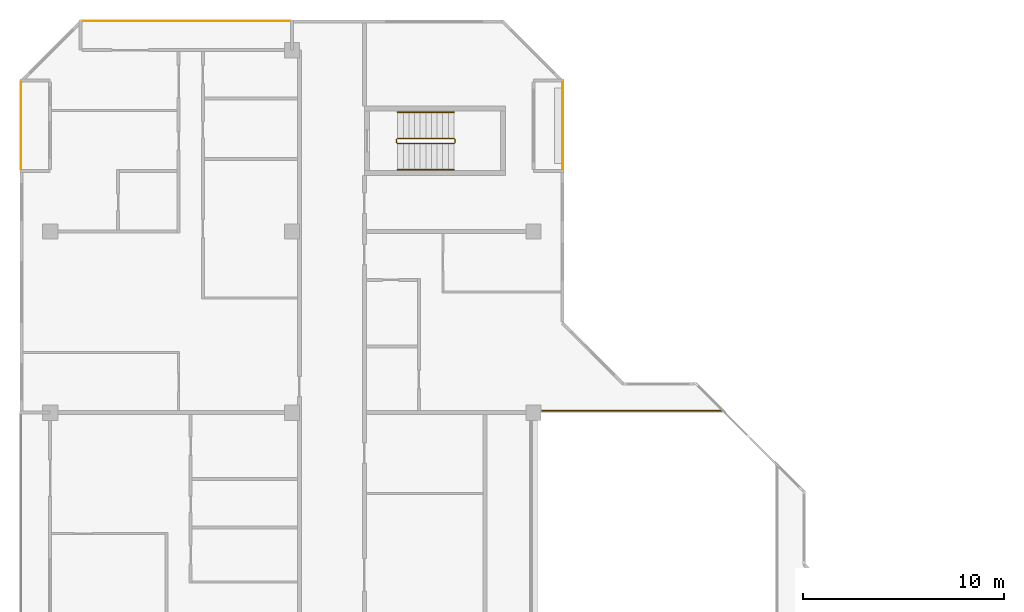
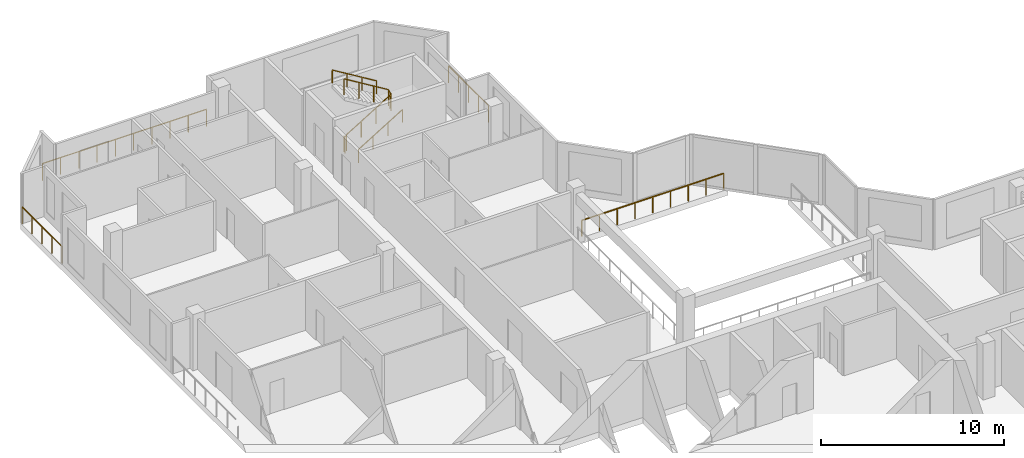
# One storey, part 12 of 12: 7 railings.
"""IFC4 building model written with IfcOpenShell, lengths in metres."""

from ifc_helpers import new_model, si_unit, direction, frame, origin, origin_2d, place, context, subcontext, project, spatial, rectangle, extrude, material, type_object, element, save


model = new_model("IFC4")

# Units and contexts
model_context = context("Model", 3, precision=1e-05, world=origin(), true_north=direction((0.0, 1.0)))
body_context = subcontext(model_context, "Body", "Model", "MODEL_VIEW")
ifc_project = project(units=[si_unit("LENGTHUNIT", "METRE"), si_unit("AREAUNIT", "SQUARE_METRE"), si_unit("VOLUMEUNIT", "CUBIC_METRE"), si_unit("PLANEANGLEUNIT", "RADIAN"), si_unit("MASSUNIT", "GRAM", prefix="KILO")], contexts=[model_context])

# Site, building, storey
site_placement = place(None, origin())
site = spatial("IfcSite", under=ifc_project, at=site_placement, CompositionType="ELEMENT")
building_placement = place(site_placement, origin())
building = spatial("IfcBuilding", under=site, at=building_placement, Name="Chenar Terraces", CompositionType="ELEMENT")
storey_placement = place(building_placement, frame((0.0, 0.0, 372.64990234375)))
storey = spatial("IfcBuildingStorey", under=building, at=storey_placement, Name="L87", CompositionType="ELEMENT", Elevation=372.64990234375)

# Railings
ifc_material_1 = material(Name="Powder-coated steel", Category="steel")
railing_type_1 = type_object("IfcRailingType", Name="Guard 1100 steel rail with glass infill", PredefinedType="GUARDRAIL", material=ifc_material_1)
railing_1_placement = place(storey_placement, frame((24.425048828125, 36.10009765625, 0.0)))
element("IfcRailing", 1, at=railing_1_placement, inside=storey, type_object=railing_type_1, Name="Guard L87-2", PredefinedType="GUARDRAIL", context=body_context, shape_type="SweptSolid", body=[
    extrude(rectangle(XDim=0.06005859375, YDim=0.06005859375, at=origin_2d()), frame((0.0, 0.0, 1.070068359375), z_axis=(1.0, 0.0, 0.0), x_axis=(0.0, 1.0, 0.0)), (0.0, 0.0, 1.0), 8.974853515625),
    extrude(rectangle(XDim=0.050048828125, YDim=0.050048828125, at=origin_2d()), origin(), (0.0, 0.0, 1.0), 1.0400390625),
    extrude(rectangle(XDim=0.050048828125, YDim=0.050048828125, at=origin_2d()), frame((1.121826171875, 0.0, 0.0)), (0.0, 0.0, 1.0), 1.0400390625),
    extrude(rectangle(XDim=0.050048828125, YDim=0.050048828125, at=origin_2d()), frame((2.24365234375, 0.0, 0.0)), (0.0, 0.0, 1.0), 1.0400390625),
    extrude(rectangle(XDim=0.050048828125, YDim=0.050048828125, at=origin_2d()), frame((3.365478515625, 0.0, 0.0)), (0.0, 0.0, 1.0), 1.0400390625),
    extrude(rectangle(XDim=0.050048828125, YDim=0.050048828125, at=origin_2d()), frame((4.4873046875, 0.0, 0.0)), (0.0, 0.0, 1.0), 1.0400390625),
    extrude(rectangle(XDim=0.050048828125, YDim=0.050048828125, at=origin_2d()), frame((5.609375, 0.0, 0.0)), (0.0, 0.0, 1.0), 1.0400390625),
    extrude(rectangle(XDim=0.050048828125, YDim=0.050048828125, at=origin_2d()), frame((6.731201171875, 0.0, 0.0)), (0.0, 0.0, 1.0), 1.0400390625),
    extrude(rectangle(XDim=0.050048828125, YDim=0.050048828125, at=origin_2d()), frame((7.85302734375, 0.0, 0.0)), (0.0, 0.0, 1.0), 1.0400390625),
    extrude(rectangle(XDim=0.050048828125, YDim=0.050048828125, at=origin_2d()), frame((8.974853515625, 0.0, 0.0)), (0.0, 0.0, 1.0), 1.0400390625),
])
ifc_material_2 = material(Name="Stainless steel and glass", Category="steel")
railing_type_2 = type_object("IfcRailingType", Name="Loggia guard 1150", PredefinedType="GUARDRAIL", material=ifc_material_2)
railing_2_placement = place(storey_placement, frame((25.449951171875, 48.074951171875, 0.0)))
element("IfcRailing", 2, at=railing_2_placement, inside=storey, type_object=railing_type_2, Name="Loggia guard", PredefinedType="GUARDRAIL", context=body_context, shape_type="SweptSolid", body=[
    extrude(rectangle(XDim=0.048095703125, YDim=0.048095703125, at=origin_2d()), frame((0.0, 0.0, 1.1259765625), z_axis=(0.0, 1.0, 0.0), x_axis=(-1.0, 0.0, 0.0)), (0.0, 0.0, 1.0), 4.35009765625),
    extrude(rectangle(XDim=0.0419921875, YDim=0.0419921875, at=origin_2d()), origin(), (0.0, 0.0, 1.0), 1.101806640625),
    extrude(rectangle(XDim=0.0419921875, YDim=0.0419921875, at=origin_2d()), frame((0.0, 1.08740234375, 0.0)), (0.0, 0.0, 1.0), 1.101806640625),
    extrude(rectangle(XDim=0.0419921875, YDim=0.0419921875, at=origin_2d()), frame((0.0, 2.175048828125, 0.0)), (0.0, 0.0, 1.0), 1.101806640625),
    extrude(rectangle(XDim=0.0419921875, YDim=0.0419921875, at=origin_2d()), frame((0.0, 3.2626953125, 0.0)), (0.0, 0.0, 1.0), 1.101806640625),
    extrude(rectangle(XDim=0.0419921875, YDim=0.0419921875, at=origin_2d()), frame((0.0, 4.35009765625, 0.0)), (0.0, 0.0, 1.0), 1.101806640625),
])
railing_3_placement = place(storey_placement, frame((11.925048828125, 55.449951171875, 0.0)))
element("IfcRailing", 3, at=railing_3_placement, inside=storey, type_object=railing_type_2, Name="Loggia guard", PredefinedType="GUARDRAIL", context=body_context, shape_type="SweptSolid", body=[
    extrude(rectangle(XDim=0.048095703125, YDim=0.048095703125, at=origin_2d()), frame((0.0, 0.0, 1.1259765625), z_axis=(-1.0, 0.0, 0.0), x_axis=(0.0, -1.0, 0.0)), (0.0, 0.0, 1.0), 10.35009765625),
    extrude(rectangle(XDim=0.0419921875, YDim=0.0419921875, at=origin_2d()), origin(), (0.0, 0.0, 1.0), 1.101806640625),
    extrude(rectangle(XDim=0.0419921875, YDim=0.0419921875, at=origin_2d()), frame((-1.14990234375, 0.0, 0.0)), (0.0, 0.0, 1.0), 1.101806640625),
    extrude(rectangle(XDim=0.0419921875, YDim=0.0419921875, at=origin_2d()), frame((-2.300048828125, 0.0, 0.0)), (0.0, 0.0, 1.0), 1.101806640625),
    extrude(rectangle(XDim=0.0419921875, YDim=0.0419921875, at=origin_2d()), frame((-3.449951171875, 0.0, 0.0)), (0.0, 0.0, 1.0), 1.101806640625),
    extrude(rectangle(XDim=0.0419921875, YDim=0.0419921875, at=origin_2d()), frame((-4.60009765625, 0.0, 0.0)), (0.0, 0.0, 1.0), 1.101806640625),
    extrude(rectangle(XDim=0.0419921875, YDim=0.0419921875, at=origin_2d()), frame((-5.75, 0.0, 0.0)), (0.0, 0.0, 1.0), 1.101806640625),
    extrude(rectangle(XDim=0.0419921875, YDim=0.0419921875, at=origin_2d()), frame((-6.900146484375, 0.0, 0.0)), (0.0, 0.0, 1.0), 1.101806640625),
    extrude(rectangle(XDim=0.0419921875, YDim=0.0419921875, at=origin_2d()), frame((-8.050048828125, 0.0, 0.0)), (0.0, 0.0, 1.0), 1.101806640625),
    extrude(rectangle(XDim=0.0419921875, YDim=0.0419921875, at=origin_2d()), frame((-9.2001953125, 0.0, 0.0)), (0.0, 0.0, 1.0), 1.101806640625),
    extrude(rectangle(XDim=0.0419921875, YDim=0.0419921875, at=origin_2d()), frame((-10.35009765625, 0.0, 0.0)), (0.0, 0.0, 1.0), 1.101806640625),
])
railing_4_placement = place(storey_placement, frame((-1.449951171875, 52.425048828125, 0.0)))
element("IfcRailing", 4, at=railing_4_placement, inside=storey, type_object=railing_type_2, Name="Loggia guard", PredefinedType="GUARDRAIL", context=body_context, shape_type="SweptSolid", body=[
    extrude(rectangle(XDim=0.048095703125, YDim=0.048095703125, at=origin_2d()), frame((0.0, 0.0, 1.1259765625), z_axis=(0.0, -1.0, 0.0), x_axis=(1.0, 0.0, 0.0)), (0.0, 0.0, 1.0), 4.35009765625),
    extrude(rectangle(XDim=0.0419921875, YDim=0.0419921875, at=origin_2d()), origin(), (0.0, 0.0, 1.0), 1.101806640625),
    extrude(rectangle(XDim=0.0419921875, YDim=0.0419921875, at=origin_2d()), frame((0.0, -1.08740234375, 0.0)), (0.0, 0.0, 1.0), 1.101806640625),
    extrude(rectangle(XDim=0.0419921875, YDim=0.0419921875, at=origin_2d()), frame((0.0, -2.175048828125, 0.0)), (0.0, 0.0, 1.0), 1.101806640625),
    extrude(rectangle(XDim=0.0419921875, YDim=0.0419921875, at=origin_2d()), frame((0.0, -3.2626953125, 0.0)), (0.0, 0.0, 1.0), 1.101806640625),
    extrude(rectangle(XDim=0.0419921875, YDim=0.0419921875, at=origin_2d()), frame((0.0, -4.35009765625, 0.0)), (0.0, 0.0, 1.0), 1.101806640625),
])
ifc_material_3 = material(Name="Powder-coated steel", Category="steel")
railing_type_3 = type_object("IfcRailingType", Name="Stair guard 1100", PredefinedType="GUARDRAIL", material=ifc_material_3)
railing_5_placement = place(storey_placement, frame((17.25, 49.625, 3.75)))
element("IfcRailing", 5, at=railing_5_placement, inside=storey, type_object=railing_type_3, Name="L87 ST4 stair guard 1", PredefinedType="GUARDRAIL", context=body_context, shape_type="SweptSolid", body=[
    extrude(rectangle(XDim=0.048095703125, YDim=0.048095703125, at=origin_2d()), frame((0.0, 0.0, 1.076171875), z_axis=(0.854202870247, 0.0, -0.519939858505), x_axis=(0.0, 1.0, 0.0)), (0.0, 0.0, 1.0), 3.278076171875),
    extrude(rectangle(XDim=0.048095703125, YDim=0.048095703125, at=origin_2d()), frame((2.800048828125, 0.0, -0.62841796875), z_axis=(0.270899902878, -0.270899902878, -0.923702595667), x_axis=(0.707106781187, 0.707106781187, 0.0)), (0.0, 0.0, 1.0), 0.184814453125),
    extrude(rectangle(XDim=0.048095703125, YDim=0.048095703125, at=origin_2d()), frame((2.85009765625, -0.050048828125, -0.798828125), z_axis=(0.0, -1.0, 0.0), x_axis=(1.0, 0.0, 0.0)), (0.0, 0.0, 1.0), 0.14990234375),
    extrude(rectangle(XDim=0.048095703125, YDim=0.048095703125, at=origin_2d()), frame((2.85009765625, -0.199951171875, -0.798828125), z_axis=(-0.707106781187, -0.707106781187, 0.0), x_axis=(0.707106781187, -0.707106781187, 0.0)), (0.0, 0.0, 1.0), 0.07080078125),
    extrude(rectangle(XDim=0.048095703125, YDim=0.048095703125, at=origin_2d()), frame((2.800048828125, -0.25, -0.798828125), z_axis=(-0.854202870247, 0.0, -0.519939858505), x_axis=(0.0, -1.0, 0.0)), (0.0, 0.0, 1.0), 3.278076171875),
    extrude(rectangle(XDim=0.048095703125, YDim=0.048095703125, at=origin_2d()), frame((0.0, -0.25, -2.50341796875), z_axis=(-0.270899902878, 0.270899902878, -0.923702595667), x_axis=(-0.707106781187, -0.707106781187, 0.0)), (0.0, 0.0, 1.0), 0.184814453125),
    extrude(rectangle(XDim=0.048095703125, YDim=0.048095703125, at=origin_2d()), frame((-0.050048828125, -0.199951171875, -2.673828125), z_axis=(0.0, 1.0, 0.0), x_axis=(-1.0, 0.0, 0.0)), (0.0, 0.0, 1.0), 0.14990234375),
    extrude(rectangle(XDim=0.0419921875, YDim=0.0419921875, at=origin_2d()), origin(), (0.0, 0.0, 1.0), 1.052001953125),
    extrude(rectangle(XDim=0.0419921875, YDim=0.0419921875, at=origin_2d()), frame((0.933349609375, 0.0, -0.568115234375)), (0.0, 0.0, 1.0), 1.052001953125),
    extrude(rectangle(XDim=0.0419921875, YDim=0.0419921875, at=origin_2d()), frame((1.86669921875, 0.0, -1.13623046875)), (0.0, 0.0, 1.0), 1.052001953125),
    extrude(rectangle(XDim=0.0419921875, YDim=0.0419921875, at=origin_2d()), frame((2.800048828125, 0.0, -1.704345703125)), (0.0, 0.0, 1.0), 1.052001953125),
    extrude(rectangle(XDim=0.0419921875, YDim=0.0419921875, at=origin_2d()), frame((2.85009765625, -0.050048828125, -1.875)), (0.0, 0.0, 1.0), 1.052001953125),
    extrude(rectangle(XDim=0.0419921875, YDim=0.0419921875, at=origin_2d()), frame((2.85009765625, -0.199951171875, -1.875)), (0.0, 0.0, 1.0), 1.052001953125),
    extrude(rectangle(XDim=0.0419921875, YDim=0.0419921875, at=origin_2d()), frame((2.800048828125, -0.25, -1.875)), (0.0, 0.0, 1.0), 1.052001953125),
    extrude(rectangle(XDim=0.0419921875, YDim=0.0419921875, at=origin_2d()), frame((1.86669921875, -0.25, -2.443115234375)), (0.0, 0.0, 1.0), 1.052001953125),
    extrude(rectangle(XDim=0.0419921875, YDim=0.0419921875, at=origin_2d()), frame((0.933349609375, -0.25, -3.01123046875)), (0.0, 0.0, 1.0), 1.052001953125),
    extrude(rectangle(XDim=0.0419921875, YDim=0.0419921875, at=origin_2d()), frame((0.0, -0.25, -3.579345703125)), (0.0, 0.0, 1.0), 1.052001953125),
    extrude(rectangle(XDim=0.0419921875, YDim=0.0419921875, at=origin_2d()), frame((-0.050048828125, -0.199951171875, -3.75)), (0.0, 0.0, 1.0), 1.052001953125),
    extrude(rectangle(XDim=0.0419921875, YDim=0.0419921875, at=origin_2d()), frame((-0.050048828125, -0.050048828125, -3.75)), (0.0, 0.0, 1.0), 1.052001953125),
])
ifc_material_4 = material(Name="Powder-coated steel", Category="steel")
railing_type_4 = type_object("IfcRailingType", Name="Stair handrail 900", PredefinedType="HANDRAIL", material=ifc_material_4)
railing_6_placement = place(storey_placement, frame((17.25, 48.074951171875, 0.170654296875)))
element("IfcRailing", 6, at=railing_6_placement, inside=storey, type_object=railing_type_4, Name="L87 ST4 stair handrail 1", PredefinedType="HANDRAIL", context=body_context, shape_type="SweptSolid", body=[
    extrude(rectangle(XDim=0.048095703125, YDim=0.048095703125, at=origin_2d()), frame((0.0, 0.0, 0.8759765625), z_axis=(0.854202870247, 0.0, 0.519939858505), x_axis=(0.0, 1.0, 0.0)), (0.0, 0.0, 1.0), 3.278076171875),
    extrude(rectangle(XDim=0.0419921875, YDim=0.0419921875, at=origin_2d()), origin(), (0.0, 0.0, 1.0), 0.851806640625),
    extrude(rectangle(XDim=0.0419921875, YDim=0.0419921875, at=origin_2d()), frame((0.933349609375, 0.0, 0.568115234375)), (0.0, 0.0, 1.0), 0.851806640625),
    extrude(rectangle(XDim=0.0419921875, YDim=0.0419921875, at=origin_2d()), frame((1.86669921875, 0.0, 1.13623046875)), (0.0, 0.0, 1.0), 0.851806640625),
    extrude(rectangle(XDim=0.0419921875, YDim=0.0419921875, at=origin_2d()), frame((2.800048828125, 0.0, 1.704345703125)), (0.0, 0.0, 1.0), 0.851806640625),
])
railing_7_placement = place(storey_placement, frame((20.050048828125, 50.925048828125, 2.045654296875)))
element("IfcRailing", 7, at=railing_7_placement, inside=storey, type_object=railing_type_4, Name="L87 ST4 stair handrail 2", PredefinedType="HANDRAIL", context=body_context, shape_type="SweptSolid", body=[
    extrude(rectangle(XDim=0.048095703125, YDim=0.048095703125, at=origin_2d()), frame((0.0, 0.0, 0.8759765625), z_axis=(-0.854202870247, 0.0, 0.519939858505), x_axis=(0.0, -1.0, 0.0)), (0.0, 0.0, 1.0), 3.278076171875),
    extrude(rectangle(XDim=0.0419921875, YDim=0.0419921875, at=origin_2d()), origin(), (0.0, 0.0, 1.0), 0.851806640625),
    extrude(rectangle(XDim=0.0419921875, YDim=0.0419921875, at=origin_2d()), frame((-0.933349609375, 0.0, 0.568115234375)), (0.0, 0.0, 1.0), 0.851806640625),
    extrude(rectangle(XDim=0.0419921875, YDim=0.0419921875, at=origin_2d()), frame((-1.86669921875, 0.0, 1.13623046875)), (0.0, 0.0, 1.0), 0.851806640625),
    extrude(rectangle(XDim=0.0419921875, YDim=0.0419921875, at=origin_2d()), frame((-2.800048828125, 0.0, 1.704345703125)), (0.0, 0.0, 1.0), 0.851806640625),
])

save(model, "model.ifc")
